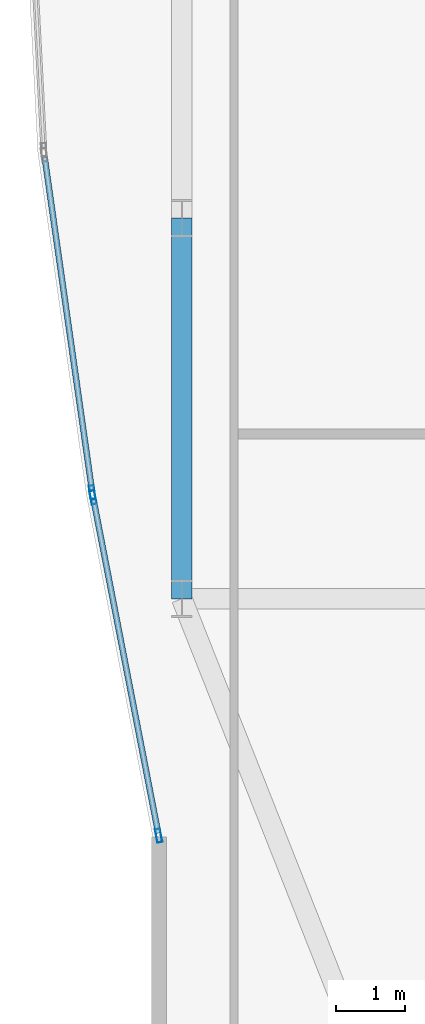
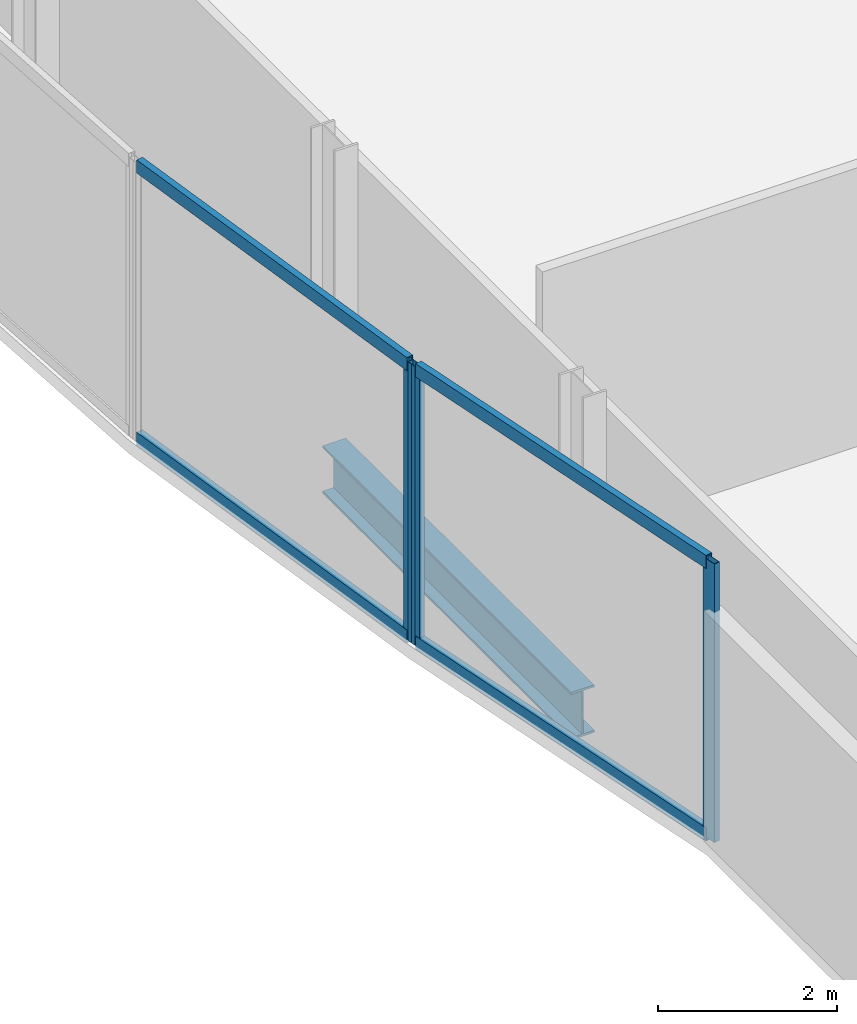
# One storey, part 6 of 34: 7 members, 1 beam, 2 elements without a shape of their own.
"""IFC4 building model written with IfcOpenShell, lengths in metres."""

from ifc_helpers import new_model, si_unit, direction, frame, origin, origin_2d, place, context, subcontext, project, spatial, hollow_rectangle, i_section, extrude, material, material_profile, profile_set, type_object, element, aggregate, save


model = new_model("IFC4")

# Units and contexts
model_context = context("Model", 3, precision=1e-05, world=origin(), true_north=direction((0.0, 1.0)))
body_context = subcontext(model_context, "Body", "Model", "MODEL_VIEW")
ifc_project = project(units=[si_unit("LENGTHUNIT", "METRE"), si_unit("AREAUNIT", "SQUARE_METRE"), si_unit("VOLUMEUNIT", "CUBIC_METRE"), si_unit("PLANEANGLEUNIT", "RADIAN"), si_unit("MASSUNIT", "GRAM", prefix="KILO")], contexts=[model_context])

# Site, building, storey
site_placement = place(None, origin())
site = spatial("IfcSite", under=ifc_project, at=site_placement, CompositionType="ELEMENT")
building_placement = place(site_placement, origin())
building = spatial("IfcBuilding", under=site, at=building_placement, Name="Khoronbel Lancet Exchange", CompositionType="ELEMENT")
storey_placement = place(building_placement, frame((0.0, 0.0, 102.60009765625)))
storey = spatial("IfcBuildingStorey", under=building, at=storey_placement, Name="L24", CompositionType="ELEMENT", Elevation=102.60009765625)

# Beam
ifc_material_1 = material(Name="Steel S355", Category="steel")
ifc_material_profile_1 = material_profile(ifc_material_1, i_section(OverallWidth=0.300048828125, OverallDepth=0.64990234375, WebThickness=0.01611328125, FlangeThickness=0.031005859375, at=origin_2d()), Name="HEB 650")
ifc_profile_set_1 = profile_set([ifc_material_profile_1], Name="Steel S355")
beam_type = type_object("IfcBeamType", Name="BM-BSP1", PredefinedType="SPANDREL", material=ifc_profile_set_1)
beam_placement = place(storey_placement, frame((3.27001953125, 24.75, -0.505126953125), z_axis=(0.0, -1.0, 0.0), x_axis=(1.0, 0.0, 0.0)))
element("IfcBeam", 1, at=beam_placement, inside=storey, type_object=beam_type, Name="Level L24 perimeter spandrel beam SP20", PredefinedType="SPANDREL", context=body_context, shape_type="SweptSolid", body=[
    extrude(i_section(OverallWidth=0.300048828125, OverallDepth=0.64990234375, WebThickness=0.01611328125, FlangeThickness=0.031005859375, at=origin_2d()), origin(), (0.0, 0.0, 1.0), 5.550048828125),
])

# Curtain wall, members
ifc_material_2 = material(Name="Low-E Solar Control Insulating Glass", Category="glass")
curtain_wall_type = type_object("IfcCurtainWallType", Name="CW-4", PredefinedType="NOTDEFINED", material=ifc_material_2)
curtain_wall_1_placement = place(storey_placement, origin())
curtain_wall_1 = element("IfcCurtainWall", 2, at=curtain_wall_1_placement, inside=storey, type_object=curtain_wall_type, Name="Unitised curtain wall CW-L24-E04", PredefinedType="NOTDEFINED")
ifc_material_3 = material(Name="Bronze-Anodised Aluminium 6063-T6", Category="aluminium")
ifc_material_profile_2 = material_profile(ifc_material_3, hollow_rectangle(XDim=0.074951171875, YDim=0.199951171875, WallThickness=0.0048828125, at=origin_2d()), Name="ALU MULLION 75x200")
ifc_profile_set_2 = profile_set([ifc_material_profile_2], Name="Bronze-Anodised Aluminium 6063-T6")
member_type_1 = type_object("IfcMemberType", Name="MEM-CWM2", PredefinedType="MULLION", material=ifc_profile_set_2)
member_1_placement = place(storey_placement, frame((2.932861328125, 15.745361328125, 0.0), z_axis=(0.0, 0.0, 1.0), x_axis=(-0.981701526761, -0.190426133595, 0.0)))
member_1 = element("IfcMember", 3, at=member_1_placement, type_object=member_type_1, Name="CW4 mullion 1", PredefinedType="MULLION", context=body_context, shape_type="SweptSolid", body=[
    extrude(hollow_rectangle(XDim=0.074951171875, YDim=0.199951171875, WallThickness=0.0048828125, at=origin_2d()), origin(), (0.0, 0.0, 1.0), 3.7998046875),
])
member_2_placement = place(storey_placement, frame((1.97607421875, 20.677978515625, 0.0), z_axis=(0.0, 0.0, 1.0), x_axis=(-0.981701526761, -0.190426133595, 0.0)))
member_2 = element("IfcMember", 4, at=member_2_placement, type_object=member_type_1, Name="CW4 mullion 2", PredefinedType="MULLION", context=body_context, shape_type="SweptSolid", body=[
    extrude(hollow_rectangle(XDim=0.074951171875, YDim=0.199951171875, WallThickness=0.0048828125, at=origin_2d()), origin(), (0.0, 0.0, 1.0), 3.7998046875),
])

# Curtain wall, member
curtain_wall_2_placement = place(storey_placement, origin())
curtain_wall_2 = element("IfcCurtainWall", 5, at=curtain_wall_2_placement, inside=storey, type_object=curtain_wall_type, Name="Unitised curtain wall CW-L24-E05", PredefinedType="NOTDEFINED")
member_3_placement = place(storey_placement, frame((1.963623046875, 20.751953125, 0.0), z_axis=(0.0, 0.0, 1.0), x_axis=(-0.990065733609, -0.1406052742, 0.0)))
member_3 = element("IfcMember", 6, at=member_3_placement, type_object=member_type_1, Name="CW4 mullion 1", PredefinedType="MULLION", context=body_context, shape_type="SweptSolid", body=[
    extrude(hollow_rectangle(XDim=0.074951171875, YDim=0.199951171875, WallThickness=0.0048828125, at=origin_2d()), origin(), (0.0, 0.0, 1.0), 3.7998046875),
])

# Member
ifc_material_profile_3 = material_profile(ifc_material_3, hollow_rectangle(XDim=0.0849609375, YDim=0.179931640625, WallThickness=0.0048828125, at=origin_2d()), Name="ALU TRANSOM 85x180")
ifc_profile_set_3 = profile_set([ifc_material_profile_3], Name="Bronze-Anodised Aluminium 6063-T6")
member_type_2 = type_object("IfcMemberType", Name="MEM-CWT1", PredefinedType="USERDEFINED", material=ifc_profile_set_3)
member_4_placement = place(storey_placement, frame((2.92578125, 15.7822265625, 0.04248046875), z_axis=(-0.190440575699, 0.981698725235, 0.0), x_axis=(-0.981698725235, -0.190440575699, 0.0)))
member_4 = element("IfcMember", 7, at=member_4_placement, type_object=member_type_2, Name="CW4 transom 1.1", ObjectType="TRANSOM", PredefinedType="USERDEFINED", context=body_context, shape_type="SweptSolid", body=[
    extrude(hollow_rectangle(XDim=0.0849609375, YDim=0.179931640625, WallThickness=0.0048828125, at=origin_2d()), origin(), (0.0, 0.0, 1.0), 4.94970703125),
])

member_5_placement = place(storey_placement, frame((2.92578125, 15.7822265625, 3.75732421875), z_axis=(-0.190440575699, 0.981698725235, 0.0), x_axis=(-0.981698725235, -0.190440575699, 0.0)))
member_5 = element("IfcMember", 8, at=member_5_placement, type_object=member_type_2, Name="CW4 transom 1.2", ObjectType="TRANSOM", PredefinedType="USERDEFINED", context=body_context, shape_type="SweptSolid", body=[
    extrude(hollow_rectangle(XDim=0.0849609375, YDim=0.179931640625, WallThickness=0.0048828125, at=origin_2d()), origin(), (0.0, 0.0, 1.0), 4.94970703125),
])

aggregate(curtain_wall_1, [member_1, member_2, member_4, member_5])

member_6_placement = place(storey_placement, frame((1.958251953125, 20.7890625, 0.04248046875), z_axis=(-0.140576250882, 0.990069854954, 0.0), x_axis=(-0.990069854954, -0.140576250882, 0.0)))
member_6 = element("IfcMember", 9, at=member_6_placement, type_object=member_type_2, Name="CW4 transom 1.1", ObjectType="TRANSOM", PredefinedType="USERDEFINED", context=body_context, shape_type="SweptSolid", body=[
    extrude(hollow_rectangle(XDim=0.0849609375, YDim=0.179931640625, WallThickness=0.0048828125, at=origin_2d()), origin(), (0.0, 0.0, 1.0), 4.89404296875),
])

member_7_placement = place(storey_placement, frame((1.958251953125, 20.7890625, 3.75732421875), z_axis=(-0.140576250882, 0.990069854954, 0.0), x_axis=(-0.990069854954, -0.140576250882, 0.0)))
member_7 = element("IfcMember", 10, at=member_7_placement, type_object=member_type_2, Name="CW4 transom 1.2", ObjectType="TRANSOM", PredefinedType="USERDEFINED", context=body_context, shape_type="SweptSolid", body=[
    extrude(hollow_rectangle(XDim=0.0849609375, YDim=0.179931640625, WallThickness=0.0048828125, at=origin_2d()), origin(), (0.0, 0.0, 1.0), 4.89404296875),
])

aggregate(curtain_wall_2, [member_3, member_6, member_7])

save(model, "model.ifc")
